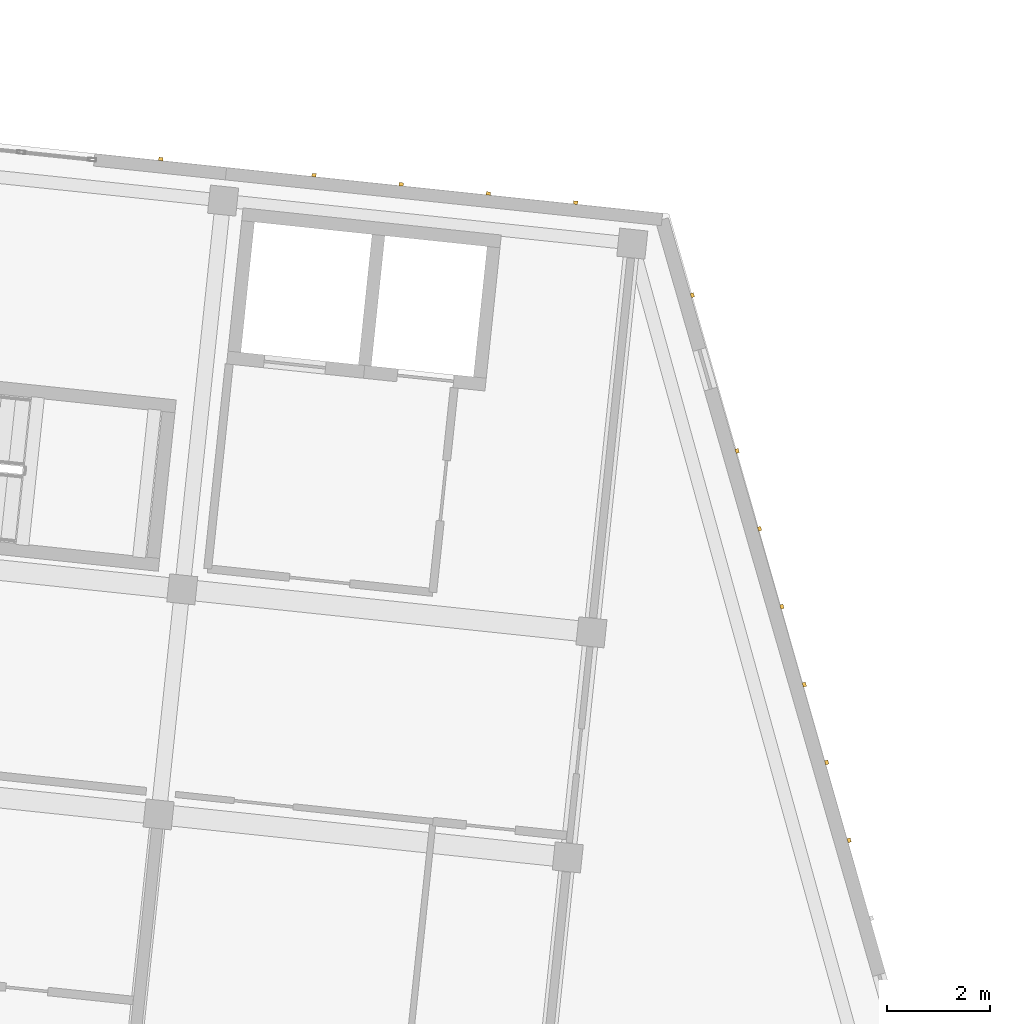
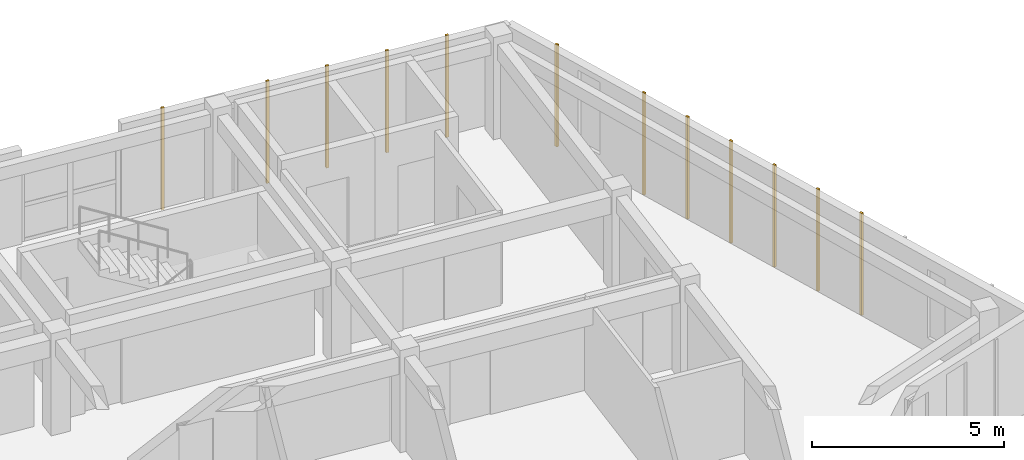
# One storey, part 68 of 68: 12 coverings.
"""IFC4 building model written with IfcOpenShell, lengths in metres."""

from ifc_helpers import new_model, si_unit, direction, frame, origin, origin_2d, place, context, subcontext, project, spatial, rectangle, extrude, material, layer, layer_set, type_object, element, save


model = new_model("IFC4")

# Units and contexts
model_context = context("Model", 3, precision=1e-05, world=origin(), true_north=direction((0.0, 1.0)))
body_context = subcontext(model_context, "Body", "Model", "MODEL_VIEW")
ifc_project = project(units=[si_unit("LENGTHUNIT", "METRE"), si_unit("AREAUNIT", "SQUARE_METRE"), si_unit("VOLUMEUNIT", "CUBIC_METRE"), si_unit("PLANEANGLEUNIT", "RADIAN"), si_unit("MASSUNIT", "GRAM", prefix="KILO")], contexts=[model_context])

# Site, building, storey
site_placement = place(None, origin())
site = spatial("IfcSite", under=ifc_project, at=site_placement, CompositionType="ELEMENT")
building_placement = place(site_placement, origin())
building = spatial("IfcBuilding", under=site, at=building_placement, Name="Kestramere Prow Commons", CompositionType="ELEMENT")
storey_placement = place(building_placement, frame((0.0, 0.0, 18.14990234375)))
storey = spatial("IfcBuildingStorey", under=building, at=storey_placement, Name="L05", CompositionType="ELEMENT", Elevation=18.14990234375)

# Coverings
ifc_material = material(Name="Weathered Zinc-Titanium Standing-Seam Cladding")
ifc_layer = layer(ifc_material, 0.074951171875)
ifc_layer_set = layer_set([ifc_layer], Name="Weathered Zinc-Titanium Standing-Seam Cladding")
covering_type = type_object("IfcCoveringType", Name="COV-CLAD-SEAM", PredefinedType="CLADDING", material=ifc_layer_set)
for number, where, z_axis, x_axis, name in (
    (1, (150.6201171875, 110.919921875, -0.25), (0.0, 0.0, 1.0), (0.994521895368, -0.104528463268, 0.0), "EW-B-L05-NP-4-R Standing-Seam Rib 1"),
    (2, (153.59619140625, 110.607177734375, -0.25), (0.0, 0.0, 1.0), (0.994521895368, -0.104528463268, 0.0), "EW-B-L05-N-5 Standing-Seam Rib 1"),
    (3, (155.291748046875, 110.428955078125, -0.25), (0.0, 0.0, 1.0), (0.994521895368, -0.104528463268, 0.0), "EW-B-L05-N-5 Standing-Seam Rib 2"),
    (4, (156.987548828125, 110.250732421875, -0.25), (0.0, 0.0, 1.0), (0.994521895368, -0.104528463268, 0.0), "EW-B-L05-N-5 Standing-Seam Rib 3"),
    (5, (158.68310546875, 110.072509765625, -0.25), (0.0, 0.0, 1.0), (0.994521895368, -0.104528463268, 0.0), "EW-B-L05-N-5 Standing-Seam Rib 4"),
    (6, (160.954345703125, 108.273193359375, -0.25), (0.0, 0.0, 1.0), (0.27631844013, -0.961066136977, 0.0), "EW-B-L05-PRW-N Standing-Seam Rib 1"),
    (7, (161.824951171875, 105.24462890625, -0.25), (0.0, 0.0, 1.0), (0.27631844013, -0.961066136977, 0.0), "EW-B-L05-PRW-N Standing-Seam Rib 3"),
    (8, (162.260498046875, 103.73046875, -0.25), (0.0, 0.0, 1.0), (0.27631844013, -0.961066136977, 0.0), "EW-B-L05-PRW-N Standing-Seam Rib 4"),
    (9, (162.69580078125, 102.21630859375, -0.25), (0.0, 0.0, 1.0), (0.27631844013, -0.961066136977, 0.0), "EW-B-L05-PRW-N Standing-Seam Rib 5"),
    (10, (163.131103515625, 100.7021484375, -0.25), (0.0, 0.0, 1.0), (0.27631844013, -0.961066136977, 0.0), "EW-B-L05-PRW-N Standing-Seam Rib 6"),
    (11, (163.56640625, 99.18798828125, -0.25), (0.0, 0.0, 1.0), (0.27631844013, -0.961066136977, 0.0), "EW-B-L05-PRW-N Standing-Seam Rib 7"),
    (12, (164.001708984375, 97.673583984375, -0.25), (0.0, 0.0, 1.0), (0.27631844013, -0.961066136977, 0.0), "EW-B-L05-PRW-N Standing-Seam Rib 8"),
):
    element("IfcCovering", number, at=place(storey_placement, frame(where, z_axis=z_axis, x_axis=x_axis)), inside=storey, type_object=covering_type, Name=name, PredefinedType="CLADDING", context=body_context, shape_type="SweptSolid", body=[
        extrude(rectangle(XDim=0.0849609375, YDim=0.06494140625, at=origin_2d()), origin(), (0.0, 0.0, 1.0), 3.25),
    ])

save(model, "model.ifc")
